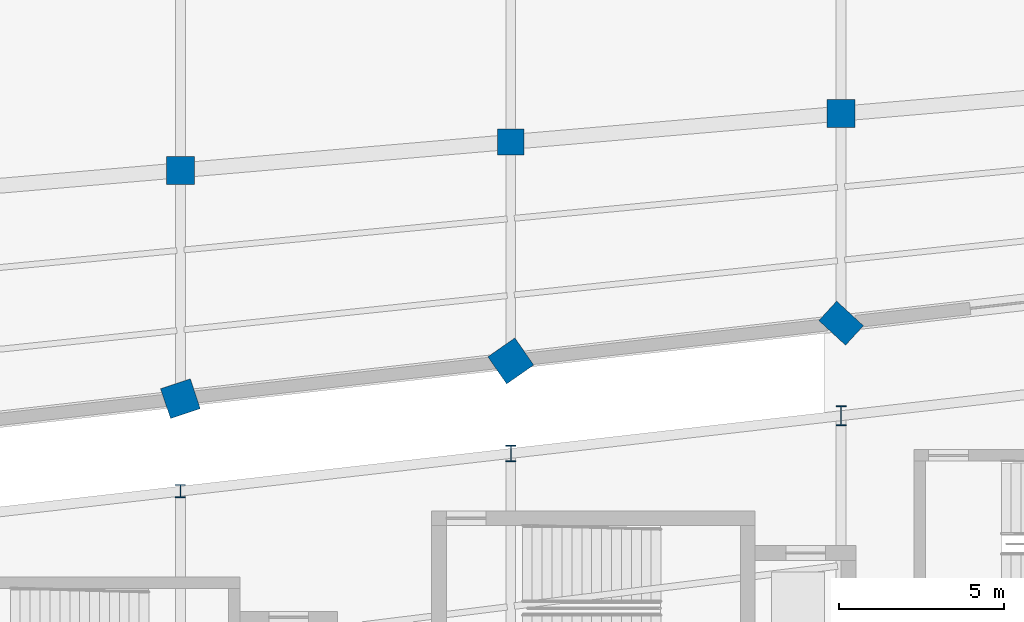
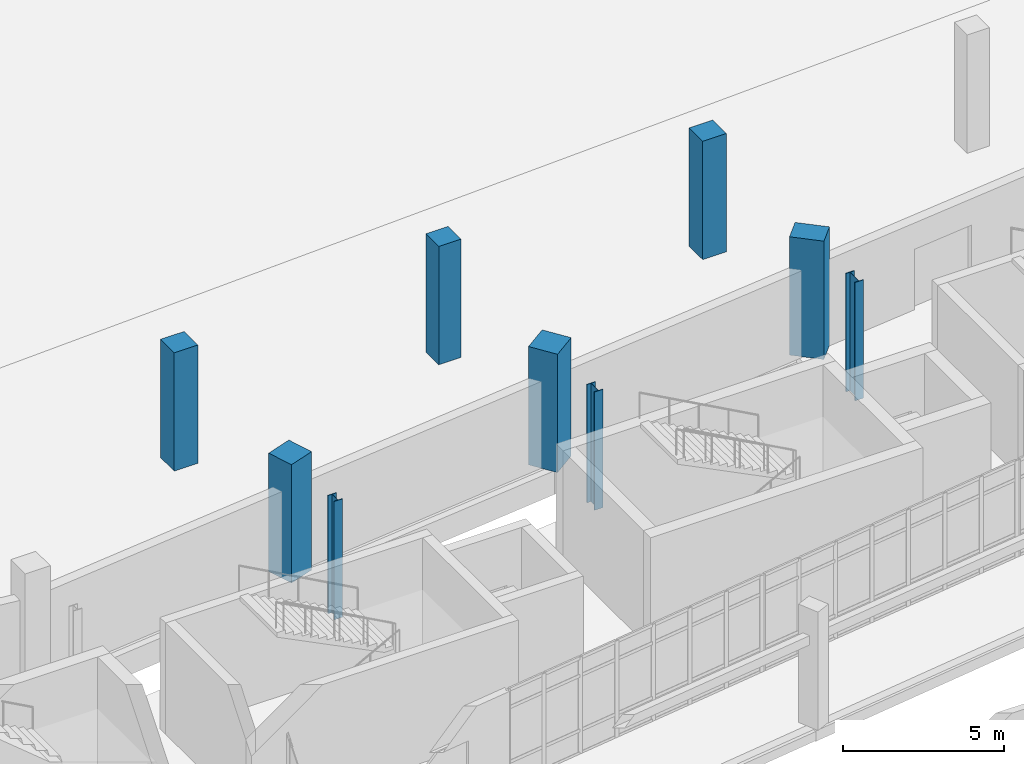
# One storey, part 8 of 122: 9 columns.
"""IFC4 building model written with IfcOpenShell, lengths in metres."""

from ifc_helpers import new_model, si_unit, direction, frame, origin, origin_2d, place, context, subcontext, project, spatial, rectangle, i_section, extrude, material, material_profile, profile_set, type_object, element, save


model = new_model("IFC4")

# Units and contexts
model_context = context("Model", 3, precision=1e-05, world=origin(), true_north=direction((0.0, 1.0)))
body_context = subcontext(model_context, "Body", "Model", "MODEL_VIEW")
ifc_project = project(units=[si_unit("LENGTHUNIT", "METRE"), si_unit("AREAUNIT", "SQUARE_METRE"), si_unit("VOLUMEUNIT", "CUBIC_METRE"), si_unit("PLANEANGLEUNIT", "RADIAN"), si_unit("MASSUNIT", "GRAM", prefix="KILO")], contexts=[model_context])

# Site, building, storey
site_placement = place(None, origin())
site = spatial("IfcSite", under=ifc_project, at=site_placement, CompositionType="ELEMENT")
building_placement = place(site_placement, origin())
building = spatial("IfcBuilding", under=site, at=building_placement, Name="Sohan Crest Arena", CompositionType="ELEMENT")
storey_placement = place(building_placement, origin())
storey = spatial("IfcBuildingStorey", under=building, at=storey_placement, Name="L00", CompositionType="ELEMENT", Elevation=0.0)

# Columns
ifc_material_1 = material(Name="Concrete C40/50", Category="concrete")
ifc_material_profile_1 = material_profile(ifc_material_1, rectangle(XDim=0.800048828125, YDim=0.800048828125, at=origin_2d()), Name="RC 800x800")
ifc_profile_set_1 = profile_set([ifc_material_profile_1], Name="Concrete C40/50")
column_type_1 = type_object("IfcColumnType", Name="STR-COL-C05", PredefinedType="COLUMN", material=ifc_profile_set_1)
column_1_placement = place(storey_placement, frame((118.0, 55.9140625, 0.0), z_axis=(0.0, 0.0, 1.0), x_axis=(1.0, 0.0, 0.0)))
element("IfcColumn", 1, at=column_1_placement, inside=storey, type_object=column_type_1, Name="Structural column COL-V1M-15-L00", PredefinedType="COLUMN", context=body_context, shape_type="SweptSolid", body=[
    extrude(rectangle(XDim=0.800048828125, YDim=0.800048828125, at=origin_2d()), origin(), (0.0, 0.0, 1.0), 4.5),
])
ifc_material_profile_2 = material_profile(ifc_material_1, rectangle(XDim=0.85009765625, YDim=0.85009765625, at=origin_2d()), Name="RC 850x850")
ifc_profile_set_2 = profile_set([ifc_material_profile_2], Name="Concrete C40/50")
column_type_2 = type_object("IfcColumnType", Name="STR-COL-C06", PredefinedType="COLUMN", material=ifc_profile_set_2)
for number, where, z_axis, x_axis, name in (
    (2, (108.0, 55.056884765625, 0.0), (0.0, 0.0, 1.0), (1.0, 0.0, 0.0), "Structural column COL-V1M-14-L00"),
    (3, (128.0, 56.77099609375, 0.0), (0.0, 0.0, 1.0), (1.0, 0.0, 0.0), "Structural column COL-V1M-16-L00"),
):
    element("IfcColumn", number, at=place(storey_placement, frame(where, z_axis=z_axis, x_axis=x_axis)), inside=storey, type_object=column_type_2, Name=name, PredefinedType="COLUMN", context=body_context, shape_type="SweptSolid", body=[
        extrude(rectangle(XDim=0.85009765625, YDim=0.85009765625, at=origin_2d()), origin(), (0.0, 0.0, 1.0), 4.5),
    ])
ifc_material_profile_3 = material_profile(ifc_material_1, rectangle(XDim=0.949951171875, YDim=0.949951171875, at=origin_2d()), Name="RC 950x950")
ifc_profile_set_3 = profile_set([ifc_material_profile_3], Name="Concrete C40/50")
column_type_3 = type_object("IfcColumnType", Name="STR-COL-C08", PredefinedType="COLUMN", material=ifc_profile_set_3)
column_2_placement = place(storey_placement, frame((108.0, 48.14306640625, 0.0), z_axis=(0.0, 0.0, 1.0), x_axis=(-0.317304656405, 0.948323655206, 0.0)))
element("IfcColumn", 4, at=column_2_placement, inside=storey, type_object=column_type_3, Name="Structural column COL-V1R-14-L00", PredefinedType="COLUMN", context=body_context, shape_type="SweptSolid", body=[
    extrude(rectangle(XDim=0.949951171875, YDim=0.949951171875, at=origin_2d()), origin(), (0.0, 0.0, 1.0), 4.5),
])
ifc_material_profile_4 = material_profile(ifc_material_1, rectangle(XDim=1.0, YDim=1.0, at=origin_2d()), Name="RC 1000x1000")
ifc_profile_set_4 = profile_set([ifc_material_profile_4], Name="Concrete C40/50")
column_type_4 = type_object("IfcColumnType", Name="STR-COL-C09", PredefinedType="COLUMN", material=ifc_profile_set_4)
column_3_placement = place(storey_placement, frame((118.0, 49.285888671875, 0.0), z_axis=(0.0, 0.0, 1.0), x_axis=(-0.572145873446, 0.820151875874, 0.0)))
element("IfcColumn", 5, at=column_3_placement, inside=storey, type_object=column_type_4, Name="Structural column COL-V1R-15-L00", PredefinedType="COLUMN", context=body_context, shape_type="SweptSolid", body=[
    extrude(rectangle(XDim=1.0, YDim=1.0, at=origin_2d()), origin(), (0.0, 0.0, 1.0), 4.5),
])
ifc_material_profile_5 = material_profile(ifc_material_1, rectangle(XDim=1.10009765625, YDim=0.800048828125, at=origin_2d()), Name="RC 1100x800")
ifc_profile_set_5 = profile_set([ifc_material_profile_5], Name="Concrete C40/50")
column_type_5 = type_object("IfcColumnType", Name="STR-COL-C10", PredefinedType="COLUMN", material=ifc_profile_set_5)
column_4_placement = place(storey_placement, frame((128.0, 50.428955078125, 0.0), z_axis=(0.0, 0.0, 1.0), x_axis=(-0.73609708712, 0.676875969683, 0.0)))
element("IfcColumn", 6, at=column_4_placement, inside=storey, type_object=column_type_5, Name="Structural column COL-V1R-16-L00", PredefinedType="COLUMN", context=body_context, shape_type="SweptSolid", body=[
    extrude(rectangle(XDim=1.10009765625, YDim=0.800048828125, at=origin_2d()), origin(), (0.0, 0.0, 1.0), 4.5),
])
ifc_material_2 = material(Name="Steel S355", Category="steel")
ifc_material_profile_6 = material_profile(ifc_material_2, i_section(OverallWidth=0.300048828125, OverallDepth=0.39990234375, WebThickness=0.013427734375, FlangeThickness=0.02392578125, at=origin_2d()), Name="HEB 400")
ifc_profile_set_6 = profile_set([ifc_material_profile_6], Name="Steel S355")
column_type_6 = type_object("IfcColumnType", Name="STR-COL-C18", PredefinedType="COLUMN", material=ifc_profile_set_6)
column_5_placement = place(storey_placement, frame((108.0, 45.343017578125, 0.0), z_axis=(0.0, 0.0, 1.0), x_axis=(1.0, 0.0, 0.0)))
element("IfcColumn", 7, at=column_5_placement, inside=storey, type_object=column_type_6, Name="Structural column COL-V2I-14-L00", PredefinedType="COLUMN", context=body_context, shape_type="SweptSolid", body=[
    extrude(i_section(OverallWidth=0.300048828125, OverallDepth=0.39990234375, WebThickness=0.013427734375, FlangeThickness=0.02392578125, at=origin_2d()), origin(), (0.0, 0.0, 1.0), 4.5),
])
ifc_material_profile_7 = material_profile(ifc_material_2, i_section(OverallWidth=0.300048828125, OverallDepth=0.5, WebThickness=0.014404296875, FlangeThickness=0.028076171875, at=origin_2d()), Name="HEB 500")
ifc_profile_set_7 = profile_set([ifc_material_profile_7], Name="Steel S355")
column_type_7 = type_object("IfcColumnType", Name="STR-COL-C19", PredefinedType="COLUMN", material=ifc_profile_set_7)
column_6_placement = place(storey_placement, frame((118.0, 46.486083984375, 0.0), z_axis=(0.0, 0.0, 1.0), x_axis=(1.0, 0.0, 0.0)))
element("IfcColumn", 8, at=column_6_placement, inside=storey, type_object=column_type_7, Name="Structural column COL-V2I-15-L00", PredefinedType="COLUMN", context=body_context, shape_type="SweptSolid", body=[
    extrude(i_section(OverallWidth=0.300048828125, OverallDepth=0.5, WebThickness=0.014404296875, FlangeThickness=0.028076171875, at=origin_2d()), origin(), (0.0, 0.0, 1.0), 4.5),
])
ifc_material_profile_8 = material_profile(ifc_material_2, i_section(OverallWidth=0.300048828125, OverallDepth=0.60009765625, WebThickness=0.015380859375, FlangeThickness=0.030029296875, at=origin_2d()), Name="HEB 600")
ifc_profile_set_8 = profile_set([ifc_material_profile_8], Name="Steel S355")
column_type_8 = type_object("IfcColumnType", Name="STR-COL-C20", PredefinedType="COLUMN", material=ifc_profile_set_8)
column_7_placement = place(storey_placement, frame((128.0, 47.62890625, 0.0), z_axis=(0.0, 0.0, 1.0), x_axis=(1.0, 0.0, 0.0)))
element("IfcColumn", 9, at=column_7_placement, inside=storey, type_object=column_type_8, Name="Structural column COL-V2I-16-L00", PredefinedType="COLUMN", context=body_context, shape_type="SweptSolid", body=[
    extrude(i_section(OverallWidth=0.300048828125, OverallDepth=0.60009765625, WebThickness=0.015380859375, FlangeThickness=0.030029296875, at=origin_2d()), origin(), (0.0, 0.0, 1.0), 4.5),
])

save(model, "model.ifc")
